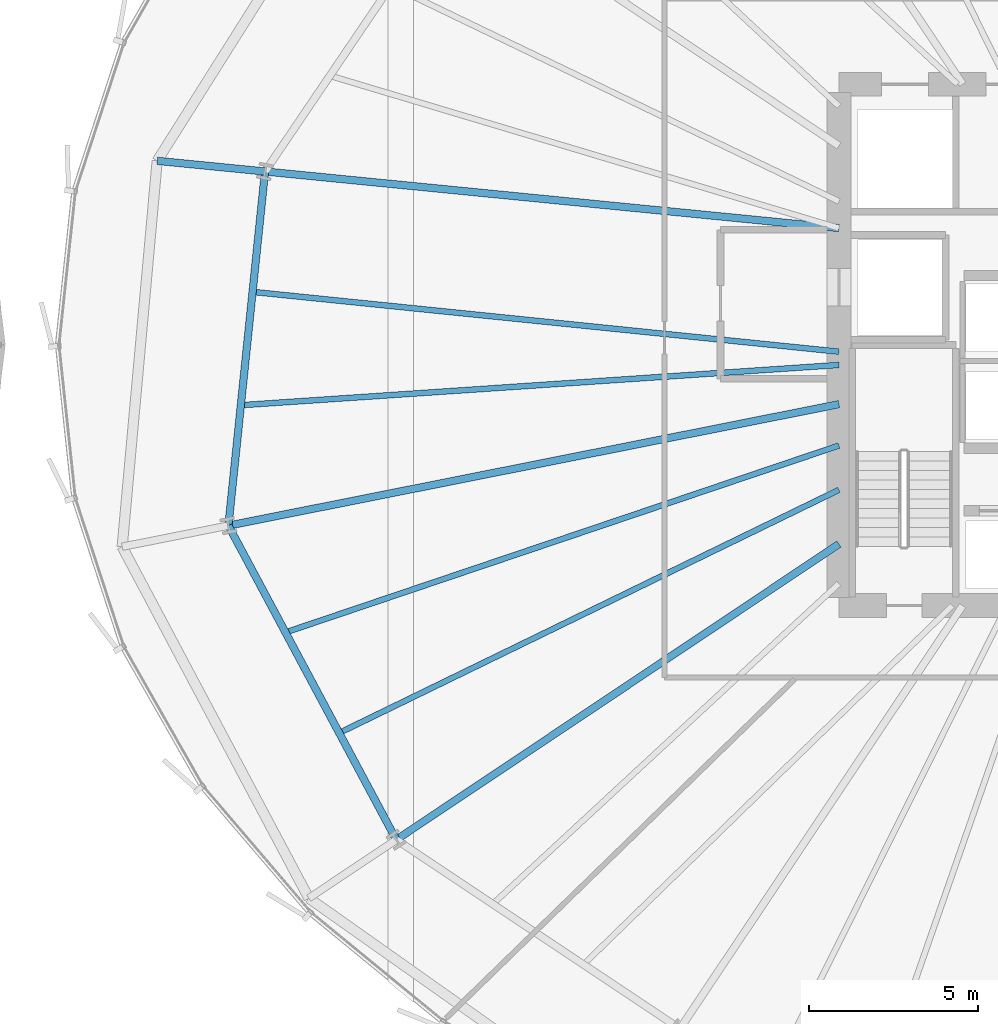
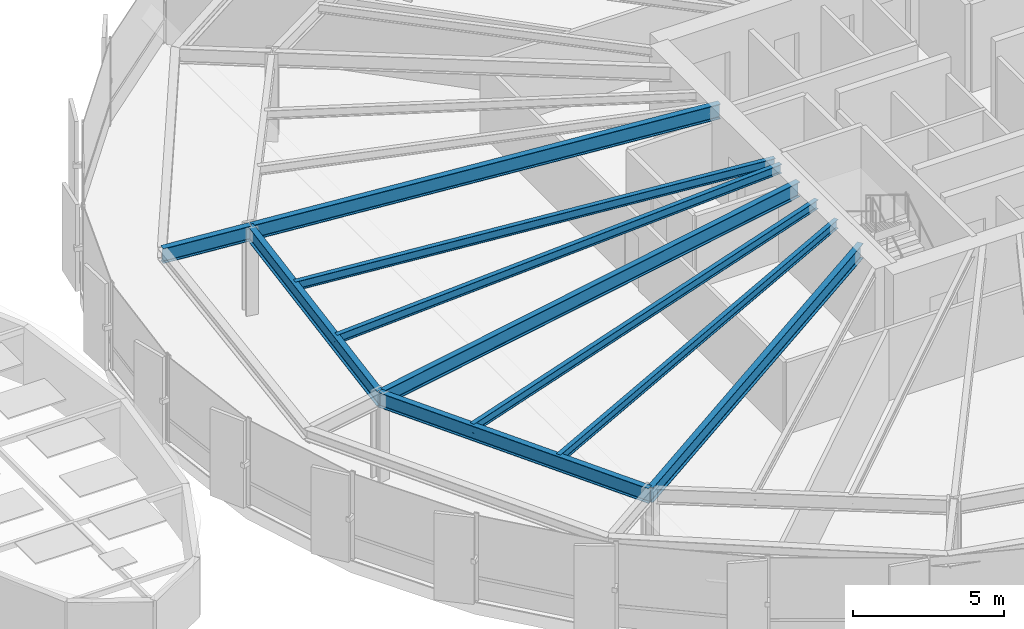
# One storey, part 8 of 38: 10 beams.
"""IFC4 building model written with IfcOpenShell, lengths in metres."""

from ifc_helpers import new_model, si_unit, direction, frame, origin, origin_2d, place, context, subcontext, project, spatial, i_section, extrude, source, transform, mapped, material, material_profile, profile_set, type_object, element, save


model = new_model("IFC4")

# Units and contexts
model_context = context("Model", 3, precision=1e-05, world=origin(), true_north=direction((0.0, 1.0)))
body_context = subcontext(model_context, "Body", "Model", "MODEL_VIEW")
ifc_project = project(units=[si_unit("LENGTHUNIT", "METRE"), si_unit("AREAUNIT", "SQUARE_METRE"), si_unit("VOLUMEUNIT", "CUBIC_METRE"), si_unit("PLANEANGLEUNIT", "RADIAN"), si_unit("MASSUNIT", "GRAM", prefix="KILO"), si_unit("THERMODYNAMICTEMPERATUREUNIT", "KELVIN")], contexts=[model_context])

# Site, building, storey
site_placement = place(None, origin())
site = spatial("IfcSite", under=ifc_project, at=site_placement, CompositionType="ELEMENT")
building_placement = place(site_placement, origin())
building = spatial("IfcBuilding", under=site, at=building_placement, Name="Kethvar Cultural Tower", CompositionType="ELEMENT")
storey_placement = place(building_placement, frame((0.0, 0.0, 29.60009765625)))
storey = spatial("IfcBuildingStorey", under=building, at=storey_placement, Name="L06", CompositionType="ELEMENT", Elevation=29.60009765625)

# Beams
ifc_material = material(Name="Steel S355J2", Category="steel")
ifc_material_profile_1 = material_profile(ifc_material, i_section(OverallWidth=0.219970703125, OverallDepth=0.60009765625, WebThickness=0.011962890625, FlangeThickness=0.01904296875, FilletRadius=0.02392578125, at=origin_2d()), Name="Steel S355J2 — IPE600")
ifc_profile_set_1 = profile_set([ifc_material_profile_1], Name="Steel S355J2 — IPE600")
beam_type_1 = type_object("IfcBeamType", Name="BM-IPE600", PredefinedType="BEAM", material=ifc_profile_set_1)
shared_shape_1 = source(origin(), body_context, "Body", "SweptSolid", [
    extrude(i_section(OverallWidth=0.219970703125, OverallDepth=0.60009765625, WebThickness=0.011962890625, FlangeThickness=0.01904296875, FilletRadius=0.02392578125, at=origin_2d()), origin(), (0.0, 0.0, 1.0), 3.199951171875),
])
beam_1_placement = place(storey_placement, frame((21.047119140625, 32.922607421875, 3.247802734375), z_axis=(-0.995167757846, 0.098189275096, 0.0), x_axis=(-0.098189275096, -0.995167757846, 0.0)))
element("IfcBeam", 1, at=beam_1_placement, inside=storey, type_object=beam_type_1, Name="L06 Perimeter Cantilever Beam RC-08", PredefinedType="BEAM", context=body_context, shape_type="MappedRepresentation", body=[
    mapped(shared_shape_1, transform((0.0, 0.0, 0.0), scale=1.0)),
])
shared_shape_2 = source(origin(), body_context, "Body", "SweptSolid", [
    extrude(i_section(OverallWidth=0.219970703125, OverallDepth=0.60009765625, WebThickness=0.011962890625, FlangeThickness=0.01904296875, FilletRadius=0.02392578125, at=origin_2d()), origin(), (0.0, 0.0, 1.0), 17.03515625),
])
beam_2_placement = place(storey_placement, frame((38.0, 31.25, 3.247802734375), z_axis=(-0.995168138859, 0.098185413375, 0.0), x_axis=(-0.098185413375, -0.995168138859, 0.0)))
element("IfcBeam", 2, at=beam_2_placement, inside=storey, type_object=beam_type_1, Name="L06 Primary Radial Beam RB-08", PredefinedType="BEAM", context=body_context, shape_type="MappedRepresentation", body=[
    mapped(shared_shape_2, transform((0.0, 0.0, 0.0), scale=1.0)),
])
shared_shape_3 = source(origin(), body_context, "Body", "SweptSolid", [
    extrude(i_section(OverallWidth=0.219970703125, OverallDepth=0.60009765625, WebThickness=0.011962890625, FlangeThickness=0.01904296875, FilletRadius=0.02392578125, at=origin_2d()), origin(), (0.0, 0.0, 1.0), 18.387451171875),
])
beam_3_placement = place(storey_placement, frame((38.0, 26.049560546875, 3.247802734375), z_axis=(-0.980785937774, -0.195087017162, 0.0), x_axis=(0.195087017162, -0.980785937774, 0.0)))
element("IfcBeam", 3, at=beam_3_placement, inside=storey, type_object=beam_type_1, Name="L06 Primary Radial Beam RB-09", PredefinedType="BEAM", context=body_context, shape_type="MappedRepresentation", body=[
    mapped(shared_shape_3, transform((0.0, 0.0, 0.0), scale=1.0)),
])
shared_shape_4 = source(origin(), body_context, "Body", "SweptSolid", [
    extrude(i_section(OverallWidth=0.219970703125, OverallDepth=0.60009765625, WebThickness=0.011962890625, FlangeThickness=0.01904296875, FilletRadius=0.02392578125, at=origin_2d()), origin(), (0.0, 0.0, 1.0), 15.725341796875),
])
beam_4_placement = place(storey_placement, frame((38.0, 21.919921875, 3.247802734375), z_axis=(-0.831469433959, -0.555570499929, 0.0), x_axis=(0.555570499929, -0.831469433959, 0.0)))
element("IfcBeam", 4, at=beam_4_placement, inside=storey, type_object=beam_type_1, Name="L06 Primary Radial Beam RB-10", PredefinedType="BEAM", context=body_context, shape_type="MappedRepresentation", body=[
    mapped(shared_shape_4, transform((0.0, 0.0, 0.0), scale=1.0)),
])
shared_shape_5 = source(origin(), body_context, "Body", "SweptSolid", [
    extrude(i_section(OverallWidth=0.219970703125, OverallDepth=0.60009765625, WebThickness=0.011962890625, FlangeThickness=0.01904296875, FilletRadius=0.02392578125, at=origin_2d()), origin(), (0.0, 0.0, 1.0), 10.515869140625),
])
beam_5_placement = place(storey_placement, frame((21.047119140625, 32.922607421875, 3.247802734375), z_axis=(-0.102824694973, -0.994699493367, 0.0), x_axis=(0.994699493367, -0.102824694973, 0.0)))
element("IfcBeam", 5, at=beam_5_placement, inside=storey, type_object=beam_type_1, Name="L06 Column Ring Tie Beam CR-08", PredefinedType="BEAM", context=body_context, shape_type="MappedRepresentation", body=[
    mapped(shared_shape_5, transform((0.0, 0.0, 0.0), scale=1.0)),
])
ifc_material_profile_2 = material_profile(ifc_material, i_section(OverallWidth=0.169921875, OverallDepth=0.360107421875, WebThickness=0.008056640625, FlangeThickness=0.0126953125, FilletRadius=0.01806640625, at=origin_2d()), Name="Steel S355J2 — IPE360")
ifc_profile_set_2 = profile_set([ifc_material_profile_2], Name="Steel S355J2 — IPE360")
beam_type_2 = type_object("IfcBeamType", Name="BM-J360", PredefinedType="JOIST", material=ifc_profile_set_2)
shared_shape_6 = source(origin(), body_context, "Body", "SweptSolid", [
    extrude(i_section(OverallWidth=0.169921875, OverallDepth=0.360107421875, WebThickness=0.008056640625, FlangeThickness=0.0126953125, FilletRadius=0.01806640625, at=origin_2d()), origin(), (0.0, 0.0, 1.0), 17.410400390625),
])
beam_6_placement = place(storey_placement, frame((38.0, 27.60009765625, 3.367919921875), z_axis=(-0.99484162516, 0.101440331474, 0.0), x_axis=(-0.101440331474, -0.99484162516, 0.0)))
element("IfcBeam", 6, at=beam_6_placement, inside=storey, type_object=beam_type_2, Name="L06 Composite Floor Joist J-08A", PredefinedType="JOIST", context=body_context, shape_type="MappedRepresentation", body=[
    mapped(shared_shape_6, transform((0.0, 0.0, 0.0), scale=1.0)),
])
shared_shape_7 = source(origin(), body_context, "Body", "SweptSolid", [
    extrude(i_section(OverallWidth=0.169921875, OverallDepth=0.360107421875, WebThickness=0.008056640625, FlangeThickness=0.0126953125, FilletRadius=0.01806640625, at=origin_2d()), origin(), (0.0, 0.0, 1.0), 17.70654296875),
])
beam_7_placement = place(storey_placement, frame((38.0, 27.207763671875, 3.367919921875), z_axis=(-0.997742984455, -0.067148618533, 0.0), x_axis=(0.067148618533, -0.997742984455, 0.0)))
element("IfcBeam", 7, at=beam_7_placement, inside=storey, type_object=beam_type_2, Name="L06 Composite Floor Joist J-08B", PredefinedType="JOIST", context=body_context, shape_type="MappedRepresentation", body=[
    mapped(shared_shape_7, transform((0.0, 0.0, 0.0), scale=1.0)),
])
shared_shape_8 = source(origin(), body_context, "Body", "SweptSolid", [
    extrude(i_section(OverallWidth=0.219970703125, OverallDepth=0.60009765625, WebThickness=0.011962890625, FlangeThickness=0.01904296875, FilletRadius=0.02392578125, at=origin_2d()), origin(), (0.0, 0.0, 1.0), 10.52099609375),
])
beam_8_placement = place(storey_placement, frame((19.9658203125, 22.46240234375, 3.247802734375), z_axis=(0.471339616984, -0.881951793162, 0.0), x_axis=(0.881951793162, 0.471339616984, 0.0)))
element("IfcBeam", 8, at=beam_8_placement, inside=storey, type_object=beam_type_1, Name="L06 Column Ring Tie Beam CR-09", PredefinedType="BEAM", context=body_context, shape_type="MappedRepresentation", body=[
    mapped(shared_shape_8, transform((0.0, 0.0, 0.0), scale=1.0)),
])
shared_shape_9 = source(origin(), body_context, "Body", "SweptSolid", [
    extrude(i_section(OverallWidth=0.169921875, OverallDepth=0.360107421875, WebThickness=0.008056640625, FlangeThickness=0.0126953125, FilletRadius=0.01806640625, at=origin_2d()), origin(), (0.0, 0.0, 1.0), 17.255126953125),
])
beam_9_placement = place(storey_placement, frame((38.0, 24.828369140625, 3.367919921875), z_axis=(-0.947435140552, -0.319947893332, 0.0), x_axis=(0.319947893332, -0.947435140552, 0.0)))
element("IfcBeam", 9, at=beam_9_placement, inside=storey, type_object=beam_type_2, Name="L06 Composite Floor Joist J-09A", PredefinedType="JOIST", context=body_context, shape_type="MappedRepresentation", body=[
    mapped(shared_shape_9, transform((0.0, 0.0, 0.0), scale=1.0)),
])
shared_shape_10 = source(origin(), body_context, "Body", "SweptSolid", [
    extrude(i_section(OverallWidth=0.169921875, OverallDepth=0.360107421875, WebThickness=0.008056640625, FlangeThickness=0.0126953125, FilletRadius=0.01806640625, at=origin_2d()), origin(), (0.0, 0.0, 1.0), 16.4150390625),
])
beam_10_placement = place(storey_placement, frame((38.0, 23.51904296875, 3.367919921875), z_axis=(-0.899246473736, -0.437442315595, 0.0), x_axis=(0.437442315595, -0.899246473736, 0.0)))
element("IfcBeam", 10, at=beam_10_placement, inside=storey, type_object=beam_type_2, Name="L06 Composite Floor Joist J-09B", PredefinedType="JOIST", context=body_context, shape_type="MappedRepresentation", body=[
    mapped(shared_shape_10, transform((0.0, 0.0, 0.0), scale=1.0)),
])

save(model, "model.ifc")
